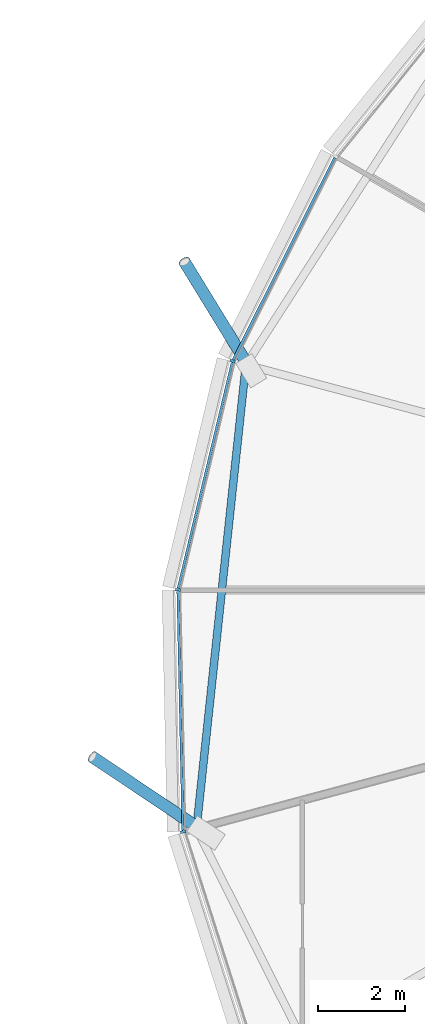
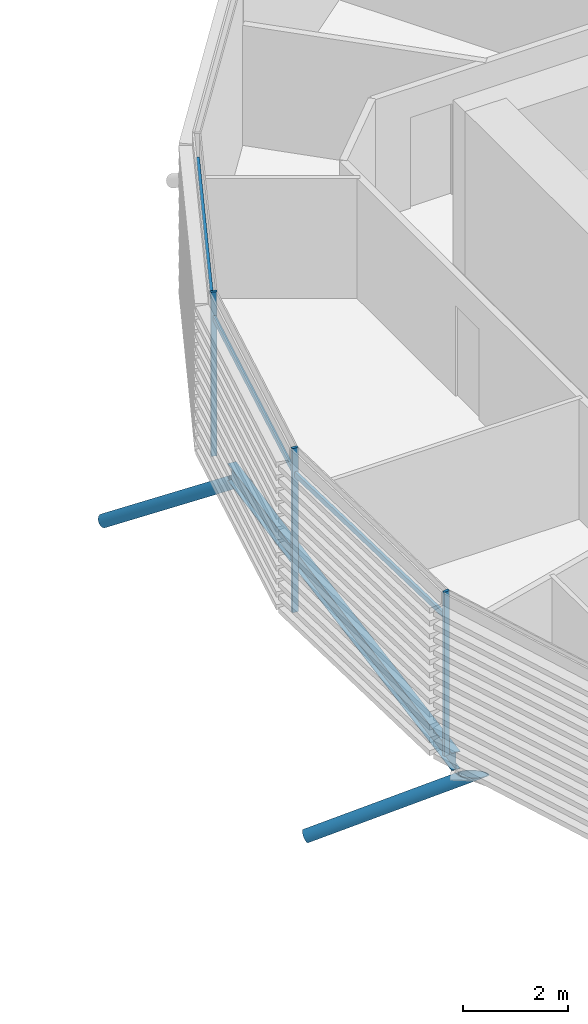
# One storey, part 9 of 36: 8 members, 1 beam, 1 element without a shape of its own.
"""IFC4 building model written with IfcOpenShell, lengths in metres."""

from ifc_helpers import new_model, si_unit, direction, frame, origin, origin_2d, place, context, subcontext, project, spatial, rectangle, hollow_circle, i_section, extrude, clip, halfspace, material, material_profile, profile_set, type_object, element, aggregate, save


model = new_model("IFC4")

# Units and contexts
model_context = context("Model", 3, precision=1e-05, world=origin(), true_north=direction((0.0, 1.0)))
body_context = subcontext(model_context, "Body", "Model", "MODEL_VIEW")
ifc_project = project(units=[si_unit("LENGTHUNIT", "METRE"), si_unit("AREAUNIT", "SQUARE_METRE"), si_unit("VOLUMEUNIT", "CUBIC_METRE"), si_unit("PLANEANGLEUNIT", "RADIAN"), si_unit("MASSUNIT", "GRAM", prefix="KILO")], contexts=[model_context])

# Site, building, storey
site_placement = place(None, origin())
site = spatial("IfcSite", under=ifc_project, at=site_placement, CompositionType="ELEMENT")
building_placement = place(site_placement, origin())
building = spatial("IfcBuilding", under=site, at=building_placement, Name="Rimbun Link Towers", CompositionType="ELEMENT")
storey_placement = place(building_placement, frame((0.0, 0.0, 37.60009765625)))
storey = spatial("IfcBuildingStorey", under=building, at=storey_placement, Name="L08", CompositionType="ELEMENT", Elevation=37.60009765625)

# Curtain wall, members
ifc_material_1 = material(Name="Aluminium 6063-T6 and low-iron glass", Category="aluminium")
curtain_wall_type = type_object("IfcCurtainWallType", Name="CW1 unitised vision wall", PredefinedType="NOTDEFINED", material=ifc_material_1)
curtain_wall_placement = place(storey_placement, origin())
curtain_wall = element("IfcCurtainWall", 1, at=curtain_wall_placement, inside=storey, type_object=curtain_wall_type, Name="CW1 L08 T2", PredefinedType="NOTDEFINED")
ifc_material_2 = material(Name="Aluminium 6063-T6", Category="aluminium")
ifc_material_profile_1 = material_profile(ifc_material_2, rectangle(XDim=0.1201171875, YDim=0.06005859375, at=origin_2d()), Name="MULLION 60X120")
ifc_profile_set_1 = profile_set([ifc_material_profile_1], Name="Aluminium 6063-T6")
member_type_1 = type_object("IfcMemberType", Name="CW1 mullion 60X120", PredefinedType="MULLION", material=ifc_profile_set_1)
member_1_placement = place(storey_placement, frame((12.208740234375, 5.241455078125, 0.0), z_axis=(0.0, 0.0, 1.0), x_axis=(-0.939346093972, 0.342970721402, 0.0)))
member_1 = element("IfcMember", 2, at=member_1_placement, type_object=member_type_1, Name="CW1 mullion", PredefinedType="MULLION", context=body_context, shape_type="SweptSolid", body=[
    extrude(rectangle(XDim=0.1201171875, YDim=0.06005859375, at=origin_2d()), origin(), (0.0, 0.0, 1.0), 3.7998046875),
])
member_2_placement = place(storey_placement, frame((10.956787109375, 0.00634765625, 0.0), z_axis=(0.0, 0.0, 1.0), x_axis=(-0.994297194147, 0.106644689088, 0.0)))
member_2 = element("IfcMember", 3, at=member_2_placement, type_object=member_type_1, Name="CW1 mullion", PredefinedType="MULLION", context=body_context, shape_type="SweptSolid", body=[
    extrude(rectangle(XDim=0.1201171875, YDim=0.06005859375, at=origin_2d()), origin(), (0.0, 0.0, 1.0), 3.7998046875),
])
member_3_placement = place(storey_placement, frame((11.07373046875, -5.5341796875, 0.0), z_axis=(0.0, 0.0, 1.0), x_axis=(-0.986501678421, -0.163751148004, 0.0)))
member_3 = element("IfcMember", 4, at=member_3_placement, type_object=member_type_1, Name="CW1 mullion", PredefinedType="MULLION", context=body_context, shape_type="SweptSolid", body=[
    extrude(rectangle(XDim=0.1201171875, YDim=0.06005859375, at=origin_2d()), origin(), (0.0, 0.0, 1.0), 3.7998046875),
])
ifc_material_3 = material(Name="Aluminium 6063-T6", Category="aluminium")
ifc_material_profile_2 = material_profile(ifc_material_3, rectangle(XDim=0.06005859375, YDim=0.1201171875, at=origin_2d()), Name="TRANSOM 60X120")
ifc_profile_set_2 = profile_set([ifc_material_profile_2], Name="Aluminium 6063-T6")
member_type_2 = type_object("IfcMemberType", Name="CW1 transom 60X120", PredefinedType="USERDEFINED", material=ifc_profile_set_2)
member_4_placement = place(storey_placement, frame((12.226806640625, 5.273681640625, 3.199951171875), z_axis=(0.448761845101, 0.893651389739, 0.0), x_axis=(-0.893651389739, 0.448761845101, 0.0)))
member_4 = element("IfcMember", 5, at=member_4_placement, type_object=member_type_2, Name="CW1 transom", ObjectType="TRANSOM", PredefinedType="USERDEFINED", context=body_context, shape_type="SweptSolid", body=[
    extrude(rectangle(XDim=0.06005859375, YDim=0.1201171875, at=origin_2d()), origin(), (0.0, 0.0, 1.0), 5.169921875),
])
member_5_placement = place(storey_placement, frame((10.967041015625, 0.042724609375, 3.199951171875), z_axis=(0.232631850088, 0.972564867926, 0.0), x_axis=(-0.972564867926, 0.232631850088, 0.0)))
member_5 = element("IfcMember", 6, at=member_5_placement, type_object=member_type_2, Name="CW1 transom", ObjectType="TRANSOM", PredefinedType="USERDEFINED", context=body_context, shape_type="SweptSolid", body=[
    extrude(rectangle(XDim=0.06005859375, YDim=0.1201171875, at=origin_2d()), origin(), (0.0, 0.0, 1.0), 5.308349609375),
])
member_6_placement = place(storey_placement, frame((11.07421875, -5.49560546875, 3.199951171875), z_axis=(-0.021039037909, 0.999778654945, 0.0), x_axis=(-0.999778654945, -0.021039037909, 0.0)))
member_6 = element("IfcMember", 7, at=member_6_placement, type_object=member_type_2, Name="CW1 transom", ObjectType="TRANSOM", PredefinedType="USERDEFINED", context=body_context, shape_type="SweptSolid", body=[
    extrude(rectangle(XDim=0.06005859375, YDim=0.1201171875, at=origin_2d()), origin(), (0.0, 0.0, 1.0), 5.465576171875),
])
aggregate(curtain_wall, [member_1, member_2, member_3, member_4, member_5, member_6])

# Members
ifc_material_4 = material(Name="Steel S355J2H", Category="steel")
ifc_material_profile_3 = material_profile(ifc_material_4, hollow_circle(Radius=0.136474609375, WallThickness=0.012451171875, at=origin_2d()), Name="CHS 273x12.5")
ifc_profile_set_3 = profile_set([ifc_material_profile_3], Name="Steel S355J2H")
member_type_3 = type_object("IfcMemberType", Name="Floor edge link CHS 273x12.5", PredefinedType="BRACE", material=ifc_profile_set_3)
member_7_placement = place(storey_placement, frame((12.56005859375, 5.141845703125, -0.6806640625), z_axis=(-0.436857015411, 0.712897457663, -0.548573753422), x_axis=(-0.852643951983, -0.522492383817, 0.0)))
element("IfcMember", 8, at=member_7_placement, inside=storey, type_object=member_type_3, Name="Floor edge link T2 L08 08", PredefinedType="BRACE", context=body_context, shape_type="Clipping", body=[
    clip(extrude(hollow_circle(Radius=0.136474609375, WallThickness=0.012451171875, at=origin_2d()), frame((0.0, 0.0, -0.434326171875)), (0.0, 0.0, 1.0), 3.775634765625), halfspace(frame((0.0, 0.0, -0.20458984375), z_axis=(0.0, 0.83610216903, -0.548573753422)), False)),
])
member_8_placement = place(storey_placement, frame((11.4296875, -5.44482421875, -0.73583984375), z_axis=(-0.743518541385, 0.49850807581, -0.445723991916), x_axis=(-0.556886210212, -0.830588796503, 0.0)))
element("IfcMember", 9, at=member_8_placement, inside=storey, type_object=member_type_3, Name="Floor edge link T2 L08 10", PredefinedType="BRACE", context=body_context, shape_type="Clipping", body=[
    clip(extrude(hollow_circle(Radius=0.136474609375, WallThickness=0.012451171875, at=origin_2d()), frame((0.0, 0.0, -0.57080078125)), (0.0, 0.0, 1.0), 3.85009765625), halfspace(frame((0.0, 0.0, -0.27001953125), z_axis=(0.0, 0.895170443564, -0.445723991916)), False)),
])

# Beam
ifc_material_5 = material(Name="Steel S355J2", Category="steel")
ifc_material_profile_4 = material_profile(ifc_material_5, i_section(OverallWidth=0.177978515625, OverallDepth=0.406494140625, WebThickness=0.0078125, FlangeThickness=0.0126953125, at=origin_2d()), Name="UB 406x178x60")
ifc_profile_set_4 = profile_set([ifc_material_profile_4], Name="Steel S355J2")
beam_type = type_object("IfcBeamType", Name="UB 406x178x60", PredefinedType="BEAM", material=ifc_profile_set_4)
beam_placement = place(storey_placement, frame((12.502197265625, 5.064208984375, -0.36328125), z_axis=(-0.105916930247, -0.994374981527, 0.0), x_axis=(0.994374981527, -0.105916930247, 0.0)))
element("IfcBeam", 10, at=beam_placement, inside=storey, type_object=beam_type, Name="Edge beam T2 L08 08-10", PredefinedType="BEAM", context=body_context, shape_type="SweptSolid", body=[
    extrude(i_section(OverallWidth=0.177978515625, OverallDepth=0.406494140625, WebThickness=0.0078125, FlangeThickness=0.0126953125, at=origin_2d()), origin(), (0.0, 0.0, 1.0), 10.478515625),
])

save(model, "model.ifc")
